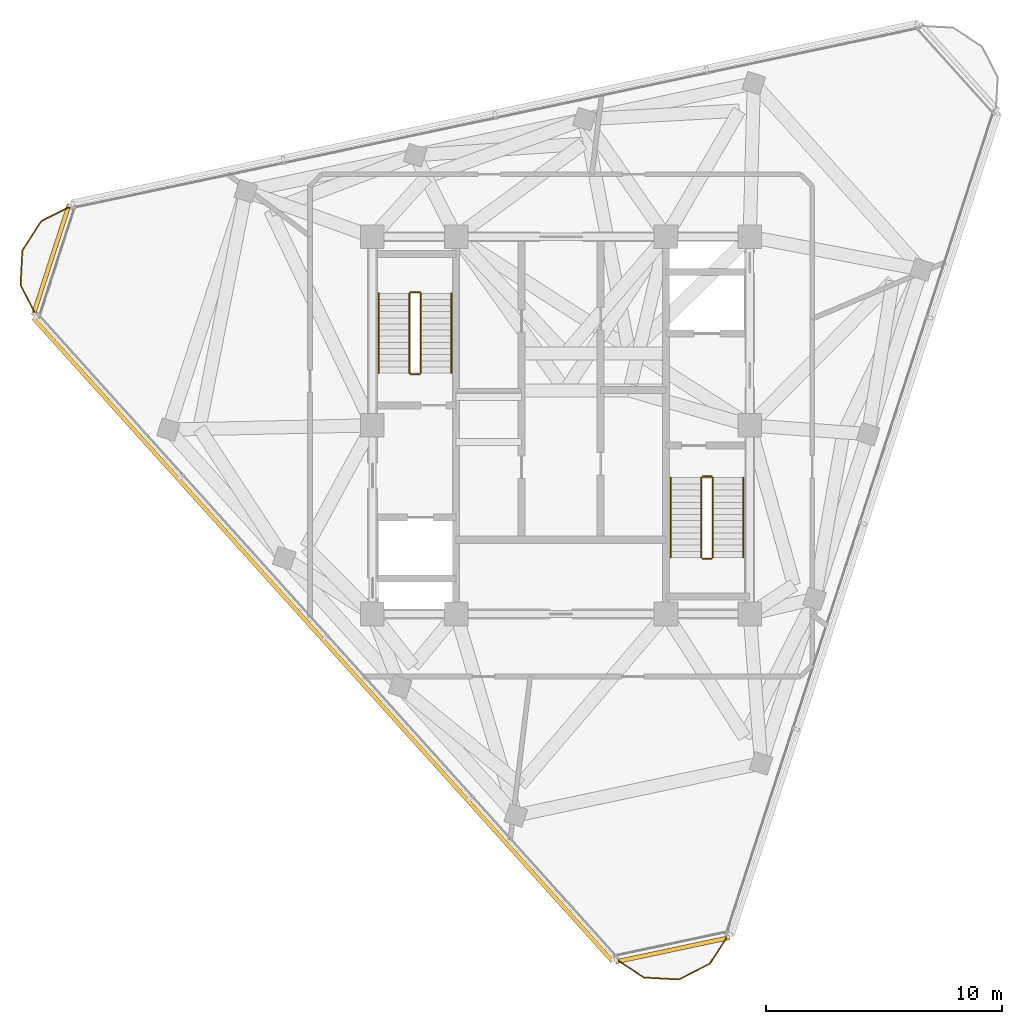
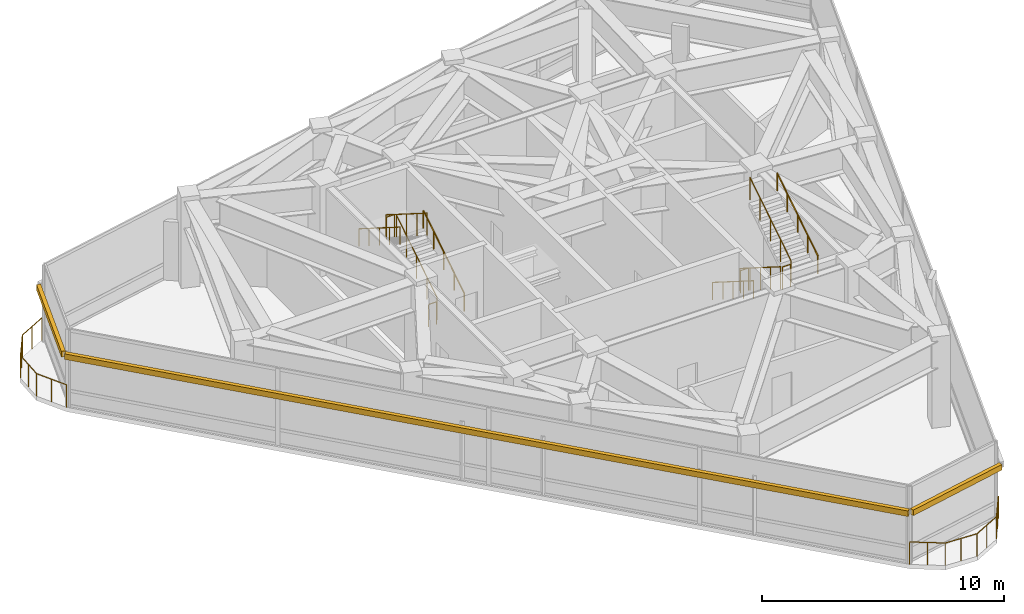
# One storey, part 9 of 10: 14 railings, 3 shading devices.
"""IFC4 building model written with IfcOpenShell, lengths in metres."""

from ifc_helpers import new_model, si_unit, direction, frame, origin, origin_2d, place, context, subcontext, project, spatial, rectangle, circle, extrude, material, layer, layer_set, type_object, element, save


model = new_model("IFC4")

# Units and contexts
model_context = context("Model", 3, precision=1e-05, world=origin(), true_north=direction((0.0, 1.0)))
body_context = subcontext(model_context, "Body", "Model", "MODEL_VIEW")
ifc_project = project(units=[si_unit("LENGTHUNIT", "METRE"), si_unit("AREAUNIT", "SQUARE_METRE"), si_unit("VOLUMEUNIT", "CUBIC_METRE"), si_unit("PLANEANGLEUNIT", "RADIAN"), si_unit("MASSUNIT", "GRAM", prefix="KILO")], contexts=[model_context])

# Site, building, storey
site_placement = place(None, origin())
site = spatial("IfcSite", under=ifc_project, at=site_placement, CompositionType="ELEMENT")
building_placement = place(site_placement, origin())
building = spatial("IfcBuilding", under=site, at=building_placement, Name="Terralouvre Media Tower", CompositionType="ELEMENT")
storey_placement = place(building_placement, frame((0.0, 0.0, 317.39990234375)))
storey = spatial("IfcBuildingStorey", under=building, at=storey_placement, Name="L82", CompositionType="ELEMENT", Elevation=317.39990234375)

# Railings
ifc_material_1 = material(Name="Stainless steel 316 handrail and balustrade", Category="steel")
ifc_layer_1 = layer(ifc_material_1, 0.06005859375, Name="Roof Edge Safety Guardrail GR-ROOF1")
ifc_layer_set_1 = layer_set([ifc_layer_1], Name="Stainless steel 316 handrail and balustrade")
railing_type_1 = type_object("IfcRailingType", Name="Roof Edge Safety Guardrail GR-ROOF1", PredefinedType="GUARDRAIL", material=ifc_layer_set_1)
railing_1_placement = place(storey_placement, frame((2.285888671875, -22.617919921875, 0.0)))
element("IfcRailing", 1, at=railing_1_placement, inside=storey, type_object=railing_type_1, Name="L82 Wind-Corner Perimeter Safety Guardrail C0", PredefinedType="GUARDRAIL", context=body_context, shape_type="SweptSolid", body=[
    extrude(circle(Radius=0.02099609375, at=origin_2d()), frame((0.0, 0.0, 1.12890625), z_axis=(0.838538165207, -0.544842863119, 0.0), x_axis=(0.544842863119, 0.838538165207, 0.0)), (0.0, 0.0, 1.0), 1.474609375),
    extrude(circle(Radius=0.02099609375, at=origin_2d()), frame((1.236572265625, -0.803466796875, 1.12890625), z_axis=(0.99862148617, -0.052489307099, 0.0), x_axis=(0.052489307099, 0.99862148617, 0.0)), (0.0, 0.0, 1.0), 1.474365234375),
    extrude(circle(Radius=0.02099609375, at=origin_2d()), frame((2.708984375, -0.880859375, 1.12890625), z_axis=(0.890956070709, 0.45408950667, 0.0), x_axis=(-0.45408950667, 0.890956070709, 0.0)), (0.0, 0.0, 1.0), 1.47412109375),
    extrude(circle(Radius=0.02099609375, at=origin_2d()), frame((4.0224609375, -0.21142578125, 1.12890625), z_axis=(0.544458748913, 0.838787619563, 0.0), x_axis=(-0.838787619563, 0.544458748913, 0.0)), (0.0, 0.0, 1.0), 1.474853515625),
    extrude(circle(Radius=0.01904296875, at=origin_2d()), origin(), (0.0, 0.0, 1.0), 1.10791015625),
    extrude(circle(Radius=0.01904296875, at=origin_2d()), frame((0.6181640625, -0.40185546875, 0.0)), (0.0, 0.0, 1.0), 1.10791015625),
    extrude(circle(Radius=0.01904296875, at=origin_2d()), frame((1.236572265625, -0.803466796875, 0.0)), (0.0, 0.0, 1.0), 1.10791015625),
    extrude(circle(Radius=0.01904296875, at=origin_2d()), frame((1.97265625, -0.84228515625, 0.0)), (0.0, 0.0, 1.0), 1.10791015625),
    extrude(circle(Radius=0.01904296875, at=origin_2d()), frame((2.708984375, -0.880859375, 0.0)), (0.0, 0.0, 1.0), 1.10791015625),
    extrude(circle(Radius=0.01904296875, at=origin_2d()), frame((3.36572265625, -0.546142578125, 0.0)), (0.0, 0.0, 1.0), 1.10791015625),
    extrude(circle(Radius=0.01904296875, at=origin_2d()), frame((4.0224609375, -0.21142578125, 0.0)), (0.0, 0.0, 1.0), 1.10791015625),
    extrude(circle(Radius=0.01904296875, at=origin_2d()), frame((4.423828125, 0.4072265625, 0.0)), (0.0, 0.0, 1.0), 1.10791015625),
    extrude(circle(Radius=0.01904296875, at=origin_2d()), frame((4.825439453125, 1.025634765625, 0.0)), (0.0, 0.0, 1.0), 1.10791015625),
])
railing_2_placement = place(storey_placement, frame((-20.73046875, 9.329345703125, 0.0)))
element("IfcRailing", 2, at=railing_2_placement, inside=storey, type_object=railing_type_1, Name="L82 Wind-Corner Perimeter Safety Guardrail C2", PredefinedType="GUARDRAIL", context=body_context, shape_type="SweptSolid", body=[
    extrude(circle(Radius=0.02099609375, at=origin_2d()), frame((0.0, 0.0, 1.12890625), z_axis=(-0.891125388047, -0.453757140746, 0.0), x_axis=(0.453757140746, -0.891125388047, 0.0)), (0.0, 0.0, 1.0), 1.474853515625),
    extrude(circle(Radius=0.02099609375, at=origin_2d()), frame((-1.314208984375, -0.669189453125, 1.12890625), z_axis=(-0.544802081021, -0.838564662095, 0.0), x_axis=(0.838564662095, -0.544802081021, 0.0)), (0.0, 0.0, 1.0), 1.474365234375),
    extrude(circle(Radius=0.02099609375, at=origin_2d()), frame((-2.117431640625, -1.905517578125, 1.12890625), z_axis=(-0.052159048081, -0.998638790406, 0.0), x_axis=(0.998638790406, -0.052159048081, 0.0)), (0.0, 0.0, 1.0), 1.474365234375),
    extrude(circle(Radius=0.02099609375, at=origin_2d()), frame((-2.1943359375, -3.3779296875, 1.12890625), z_axis=(0.45428535355, -0.890856227205, 0.0), x_axis=(0.890856227205, 0.45428535355, 0.0)), (0.0, 0.0, 1.0), 1.474609375),
    extrude(circle(Radius=0.01904296875, at=origin_2d()), origin(), (0.0, 0.0, 1.0), 1.10791015625),
    extrude(circle(Radius=0.01904296875, at=origin_2d()), frame((-0.6572265625, -0.33447265625, 0.0)), (0.0, 0.0, 1.0), 1.10791015625),
    extrude(circle(Radius=0.01904296875, at=origin_2d()), frame((-1.314208984375, -0.669189453125, 0.0)), (0.0, 0.0, 1.0), 1.10791015625),
    extrude(circle(Radius=0.01904296875, at=origin_2d()), frame((-1.7158203125, -1.287353515625, 0.0)), (0.0, 0.0, 1.0), 1.10791015625),
    extrude(circle(Radius=0.01904296875, at=origin_2d()), frame((-2.117431640625, -1.905517578125, 0.0)), (0.0, 0.0, 1.0), 1.10791015625),
    extrude(circle(Radius=0.01904296875, at=origin_2d()), frame((-2.15576171875, -2.6416015625, 0.0)), (0.0, 0.0, 1.0), 1.10791015625),
    extrude(circle(Radius=0.01904296875, at=origin_2d()), frame((-2.1943359375, -3.3779296875, 0.0)), (0.0, 0.0, 1.0), 1.10791015625),
    extrude(circle(Radius=0.01904296875, at=origin_2d()), frame((-1.859375, -4.03466796875, 0.0)), (0.0, 0.0, 1.0), 1.10791015625),
    extrude(circle(Radius=0.01904296875, at=origin_2d()), frame((-1.5244140625, -4.691650390625, 0.0)), (0.0, 0.0, 1.0), 1.10791015625),
])
ifc_material_2 = material(Name="Stainless steel 316 handrail and balustrade", Category="steel")
ifc_layer_2 = layer(ifc_material_2, 0.050048828125, Name="Stair Flight Wall Handrail HR-INT1")
ifc_layer_set_2 = layer_set([ifc_layer_2], Name="Stainless steel 316 handrail and balustrade")
railing_type_2 = type_object("IfcRailingType", Name="Stair Flight Wall Handrail HR-INT1", PredefinedType="HANDRAIL", material=ifc_layer_set_2)
railing_3_placement = place(storey_placement, frame((-4.64990234375, 2.219970703125, 0.164306640625)))
element("IfcRailing", 3, at=railing_3_placement, inside=storey, type_object=railing_type_2, Name="L82 ST-01 stair handrail 1", PredefinedType="HANDRAIL", context=body_context, shape_type="SweptSolid", body=[
    extrude(circle(Radius=0.02392578125, at=origin_2d()), frame((0.0, 0.0, 0.8759765625), z_axis=(0.0, 0.845384418764, 0.534158388974), x_axis=(-1.0, 0.0, 0.0)), (0.0, 0.0, 1.0), 3.998291015625),
    extrude(circle(Radius=0.02099609375, at=origin_2d()), origin(), (0.0, 0.0, 1.0), 0.851806640625),
    extrude(circle(Radius=0.02099609375, at=origin_2d()), frame((0.0, 0.844970703125, 0.533935546875)), (0.0, 0.0, 1.0), 0.851806640625),
    extrude(circle(Radius=0.02099609375, at=origin_2d()), frame((0.0, 1.68994140625, 1.06787109375)), (0.0, 0.0, 1.0), 0.851806640625),
    extrude(circle(Radius=0.02099609375, at=origin_2d()), frame((0.0, 2.53515625, 1.601806640625)), (0.0, 0.0, 1.0), 0.851806640625),
    extrude(circle(Radius=0.02099609375, at=origin_2d()), frame((0.0, 3.380126953125, 2.1357421875)), (0.0, 0.0, 1.0), 0.851806640625),
])
for number, where, name in (
    (4, (-7.72998046875, 5.60009765625, 2.46435546875), "L82 ST-01 stair handrail 2"),
    (5, (4.64990234375, -2.219970703125, 0.164306640625), "L82 ST-02 stair handrail 1"),
):
    element("IfcRailing", number, at=place(storey_placement, frame(where)), inside=storey, type_object=railing_type_2, Name=name, PredefinedType="HANDRAIL", context=body_context, shape_type="SweptSolid", body=[
        extrude(circle(Radius=0.02392578125, at=origin_2d()), frame((0.0, 0.0, 0.8759765625), z_axis=(0.0, -0.845384418764, 0.534158388974), x_axis=(1.0, 0.0, 0.0)), (0.0, 0.0, 1.0), 3.998291015625),
        extrude(circle(Radius=0.02099609375, at=origin_2d()), origin(), (0.0, 0.0, 1.0), 0.851806640625),
        extrude(circle(Radius=0.02099609375, at=origin_2d()), frame((0.0, -0.844970703125, 0.533935546875)), (0.0, 0.0, 1.0), 0.851806640625),
        extrude(circle(Radius=0.02099609375, at=origin_2d()), frame((0.0, -1.68994140625, 1.06787109375)), (0.0, 0.0, 1.0), 0.851806640625),
        extrude(circle(Radius=0.02099609375, at=origin_2d()), frame((0.0, -2.53515625, 1.601806640625)), (0.0, 0.0, 1.0), 0.851806640625),
        extrude(circle(Radius=0.02099609375, at=origin_2d()), frame((0.0, -3.380126953125, 2.1357421875)), (0.0, 0.0, 1.0), 0.851806640625),
    ])
railing_4_placement = place(storey_placement, frame((7.72998046875, -5.60009765625, 2.46435546875)))
element("IfcRailing", 6, at=railing_4_placement, inside=storey, type_object=railing_type_2, Name="L82 ST-02 stair handrail 2", PredefinedType="HANDRAIL", context=body_context, shape_type="SweptSolid", body=[
    extrude(circle(Radius=0.02392578125, at=origin_2d()), frame((0.0, 0.0, 0.8759765625), z_axis=(0.0, 0.845384418764, 0.534158388974), x_axis=(-1.0, 0.0, 0.0)), (0.0, 0.0, 1.0), 3.998291015625),
    extrude(circle(Radius=0.02099609375, at=origin_2d()), origin(), (0.0, 0.0, 1.0), 0.851806640625),
    extrude(circle(Radius=0.02099609375, at=origin_2d()), frame((0.0, 0.844970703125, 0.533935546875)), (0.0, 0.0, 1.0), 0.851806640625),
    extrude(circle(Radius=0.02099609375, at=origin_2d()), frame((0.0, 1.68994140625, 1.06787109375)), (0.0, 0.0, 1.0), 0.851806640625),
    extrude(circle(Radius=0.02099609375, at=origin_2d()), frame((0.0, 2.53515625, 1.601806640625)), (0.0, 0.0, 1.0), 0.851806640625),
    extrude(circle(Radius=0.02099609375, at=origin_2d()), frame((0.0, 3.380126953125, 2.1357421875)), (0.0, 0.0, 1.0), 0.851806640625),
])
ifc_material_3 = material(Name="Stainless steel 316 handrail and balustrade", Category="steel")
ifc_layer_3 = layer(ifc_material_3, 0.050048828125, Name="Stairwell Safety Guardrail GR-INT1")
ifc_layer_set_3 = layer_set([ifc_layer_3], Name="Stainless steel 316 handrail and balustrade")
railing_type_3 = type_object("IfcRailingType", Name="Stairwell Safety Guardrail GR-INT1", PredefinedType="GUARDRAIL", material=ifc_layer_set_3)
railing_5_placement = place(storey_placement, frame((-5.949951171875, 2.219970703125, 0.164306640625)))
element("IfcRailing", 7, at=railing_5_placement, inside=storey, type_object=railing_type_3, Name="L82 ST-01 stair guard 1", PredefinedType="GUARDRAIL", context=body_context, shape_type="SweptSolid", body=[
    extrude(circle(Radius=0.02392578125, at=origin_2d()), frame((0.0, 0.0, 1.1259765625), z_axis=(0.0, 0.845384418764, 0.534158388974), x_axis=(-1.0, 0.0, 0.0)), (0.0, 0.0, 1.0), 3.998291015625),
    extrude(circle(Radius=0.02099609375, at=origin_2d()), origin(), (0.0, 0.0, 1.0), 1.101806640625),
    extrude(circle(Radius=0.02099609375, at=origin_2d()), frame((0.0, 0.844970703125, 0.533935546875)), (0.0, 0.0, 1.0), 1.101806640625),
    extrude(circle(Radius=0.02099609375, at=origin_2d()), frame((0.0, 1.68994140625, 1.06787109375)), (0.0, 0.0, 1.0), 1.101806640625),
    extrude(circle(Radius=0.02099609375, at=origin_2d()), frame((0.0, 2.53515625, 1.601806640625)), (0.0, 0.0, 1.0), 1.101806640625),
    extrude(circle(Radius=0.02099609375, at=origin_2d()), frame((0.0, 3.380126953125, 2.1357421875)), (0.0, 0.0, 1.0), 1.101806640625),
])
railing_6_placement = place(storey_placement, frame((-6.0, 5.64990234375, 2.300048828125)))
element("IfcRailing", 8, at=railing_6_placement, inside=storey, type_object=railing_type_3, Name="L82 ST-01 stair guard 2", PredefinedType="GUARDRAIL", context=body_context, shape_type="SweptSolid", body=[
    extrude(circle(Radius=0.02392578125, at=origin_2d()), frame((0.0, 0.0, 1.1259765625), z_axis=(-1.0, 0.0, 0.0), x_axis=(0.0, -1.0, 0.0)), (0.0, 0.0, 1.0), 0.3798828125),
    extrude(circle(Radius=0.02099609375, at=origin_2d()), origin(), (0.0, 0.0, 1.0), 1.101806640625),
    extrude(circle(Radius=0.02099609375, at=origin_2d()), frame((-0.3798828125, 0.0, 0.0)), (0.0, 0.0, 1.0), 1.101806640625),
])
railing_7_placement = place(storey_placement, frame((-6.429931640625, 5.60009765625, 2.46435546875)))
element("IfcRailing", 9, at=railing_7_placement, inside=storey, type_object=railing_type_3, Name="L82 ST-01 stair guard 3", PredefinedType="GUARDRAIL", context=body_context, shape_type="SweptSolid", body=[
    extrude(circle(Radius=0.02392578125, at=origin_2d()), frame((0.0, 0.0, 1.1259765625), z_axis=(0.0, -0.845384418764, 0.534158388974), x_axis=(1.0, 0.0, 0.0)), (0.0, 0.0, 1.0), 3.998291015625),
    extrude(circle(Radius=0.02099609375, at=origin_2d()), origin(), (0.0, 0.0, 1.0), 1.101806640625),
    extrude(circle(Radius=0.02099609375, at=origin_2d()), frame((0.0, -0.844970703125, 0.533935546875)), (0.0, 0.0, 1.0), 1.101806640625),
    extrude(circle(Radius=0.02099609375, at=origin_2d()), frame((0.0, -1.68994140625, 1.06787109375)), (0.0, 0.0, 1.0), 1.101806640625),
    extrude(circle(Radius=0.02099609375, at=origin_2d()), frame((0.0, -2.53515625, 1.601806640625)), (0.0, 0.0, 1.0), 1.101806640625),
    extrude(circle(Radius=0.02099609375, at=origin_2d()), frame((0.0, -3.380126953125, 2.1357421875)), (0.0, 0.0, 1.0), 1.101806640625),
])
railing_8_placement = place(storey_placement, frame((-6.0, 2.169921875, 0.0)))
element("IfcRailing", 10, at=railing_8_placement, inside=storey, type_object=railing_type_3, Name="L82 ST-01 stair guard 4", PredefinedType="GUARDRAIL", context=body_context, shape_type="SweptSolid", body=[
    extrude(circle(Radius=0.02392578125, at=origin_2d()), frame((0.0, 0.0, 1.1259765625), z_axis=(-1.0, 0.0, 0.0), x_axis=(0.0, -1.0, 0.0)), (0.0, 0.0, 1.0), 0.3798828125),
    extrude(circle(Radius=0.02099609375, at=origin_2d()), origin(), (0.0, 0.0, 1.0), 1.101806640625),
    extrude(circle(Radius=0.02099609375, at=origin_2d()), frame((-0.3798828125, 0.0, 0.0)), (0.0, 0.0, 1.0), 1.101806640625),
])
railing_9_placement = place(storey_placement, frame((5.949951171875, -2.219970703125, 0.164306640625)))
element("IfcRailing", 11, at=railing_9_placement, inside=storey, type_object=railing_type_3, Name="L82 ST-02 stair guard 1", PredefinedType="GUARDRAIL", context=body_context, shape_type="SweptSolid", body=[
    extrude(circle(Radius=0.02392578125, at=origin_2d()), frame((0.0, 0.0, 1.1259765625), z_axis=(0.0, -0.845384418764, 0.534158388974), x_axis=(1.0, 0.0, 0.0)), (0.0, 0.0, 1.0), 3.998291015625),
    extrude(circle(Radius=0.02099609375, at=origin_2d()), origin(), (0.0, 0.0, 1.0), 1.101806640625),
    extrude(circle(Radius=0.02099609375, at=origin_2d()), frame((0.0, -0.844970703125, 0.533935546875)), (0.0, 0.0, 1.0), 1.101806640625),
    extrude(circle(Radius=0.02099609375, at=origin_2d()), frame((0.0, -1.68994140625, 1.06787109375)), (0.0, 0.0, 1.0), 1.101806640625),
    extrude(circle(Radius=0.02099609375, at=origin_2d()), frame((0.0, -2.53515625, 1.601806640625)), (0.0, 0.0, 1.0), 1.101806640625),
    extrude(circle(Radius=0.02099609375, at=origin_2d()), frame((0.0, -3.380126953125, 2.1357421875)), (0.0, 0.0, 1.0), 1.101806640625),
])
railing_10_placement = place(storey_placement, frame((6.0, -5.64990234375, 2.300048828125)))
element("IfcRailing", 12, at=railing_10_placement, inside=storey, type_object=railing_type_3, Name="L82 ST-02 stair guard 2", PredefinedType="GUARDRAIL", context=body_context, shape_type="SweptSolid", body=[
    extrude(circle(Radius=0.02392578125, at=origin_2d()), frame((0.0, 0.0, 1.1259765625), z_axis=(1.0, 0.0, 0.0), x_axis=(0.0, 1.0, 0.0)), (0.0, 0.0, 1.0), 0.3798828125),
    extrude(circle(Radius=0.02099609375, at=origin_2d()), origin(), (0.0, 0.0, 1.0), 1.101806640625),
    extrude(circle(Radius=0.02099609375, at=origin_2d()), frame((0.3798828125, 0.0, 0.0)), (0.0, 0.0, 1.0), 1.101806640625),
])
railing_11_placement = place(storey_placement, frame((6.429931640625, -5.60009765625, 2.46435546875)))
element("IfcRailing", 13, at=railing_11_placement, inside=storey, type_object=railing_type_3, Name="L82 ST-02 stair guard 3", PredefinedType="GUARDRAIL", context=body_context, shape_type="SweptSolid", body=[
    extrude(circle(Radius=0.02392578125, at=origin_2d()), frame((0.0, 0.0, 1.1259765625), z_axis=(0.0, 0.845384418764, 0.534158388974), x_axis=(-1.0, 0.0, 0.0)), (0.0, 0.0, 1.0), 3.998291015625),
    extrude(circle(Radius=0.02099609375, at=origin_2d()), origin(), (0.0, 0.0, 1.0), 1.101806640625),
    extrude(circle(Radius=0.02099609375, at=origin_2d()), frame((0.0, 0.844970703125, 0.533935546875)), (0.0, 0.0, 1.0), 1.101806640625),
    extrude(circle(Radius=0.02099609375, at=origin_2d()), frame((0.0, 1.68994140625, 1.06787109375)), (0.0, 0.0, 1.0), 1.101806640625),
    extrude(circle(Radius=0.02099609375, at=origin_2d()), frame((0.0, 2.53515625, 1.601806640625)), (0.0, 0.0, 1.0), 1.101806640625),
    extrude(circle(Radius=0.02099609375, at=origin_2d()), frame((0.0, 3.380126953125, 2.1357421875)), (0.0, 0.0, 1.0), 1.101806640625),
])
railing_12_placement = place(storey_placement, frame((6.0, -2.169921875, 0.0)))
element("IfcRailing", 14, at=railing_12_placement, inside=storey, type_object=railing_type_3, Name="L82 ST-02 stair guard 4", PredefinedType="GUARDRAIL", context=body_context, shape_type="SweptSolid", body=[
    extrude(circle(Radius=0.02392578125, at=origin_2d()), frame((0.0, 0.0, 1.1259765625), z_axis=(1.0, 0.0, 0.0), x_axis=(0.0, 1.0, 0.0)), (0.0, 0.0, 1.0), 0.3798828125),
    extrude(circle(Radius=0.02099609375, at=origin_2d()), origin(), (0.0, 0.0, 1.0), 1.101806640625),
    extrude(circle(Radius=0.02099609375, at=origin_2d()), frame((0.3798828125, 0.0, 0.0)), (0.0, 0.0, 1.0), 1.101806640625),
])

# Shading devices
ifc_material_4 = material(Name="Extruded terracotta baguette sunshade louvres", Category="masonry")
shading_device_type = type_object("IfcShadingDeviceType", Name="Terracotta Baguette Sunshade Louvre Screen TB-LV1", PredefinedType="USERDEFINED", material=ifc_material_4)
shading_device_placement = place(storey_placement, frame((-10.09521484375, -9.089599609375, 2.56982421875), z_axis=(0.0, 0.0, 1.0), x_axis=(0.669130490949, -0.743144929393, 0.0)))
element("IfcShadingDevice", 15, at=shading_device_placement, inside=storey, type_object=shading_device_type, Name="CW-L82-F2 Terracotta Baguette Sunshade Louvre", ObjectType="BAGUETTE", PredefinedType="USERDEFINED", context=body_context, shape_type="SweptSolid", body=[
    extrude(rectangle(XDim=36.699951171875, YDim=0.179931640625, at=origin_2d()), origin(), (0.0, 0.0, 1.0), 0.280029296875),
])
for number, where, z_axis, x_axis, name in (
    (16, (4.7265625, -22.237060546875, 2.56982421875), (0.0, 0.0, 1.0), (0.978147723559, 0.207911112968, 0.0), "CW-L82-C0 Terracotta Baguette Sunshade Louvre"),
    (17, (-21.62109375, 7.025146484375, 2.56982421875), (0.0, 0.0, 1.0), (-0.30901818637, -0.951056128992, 0.0), "CW-L82-C2 Terracotta Baguette Sunshade Louvre"),
):
    element("IfcShadingDevice", number, at=place(storey_placement, frame(where, z_axis=z_axis, x_axis=x_axis)), inside=storey, type_object=shading_device_type, Name=name, ObjectType="BAGUETTE", PredefinedType="USERDEFINED", context=body_context, shape_type="SweptSolid", body=[
        extrude(rectangle(XDim=4.936279296875, YDim=0.179931640625, at=origin_2d()), origin(), (0.0, 0.0, 1.0), 0.280029296875),
    ])

save(model, "model.ifc")
